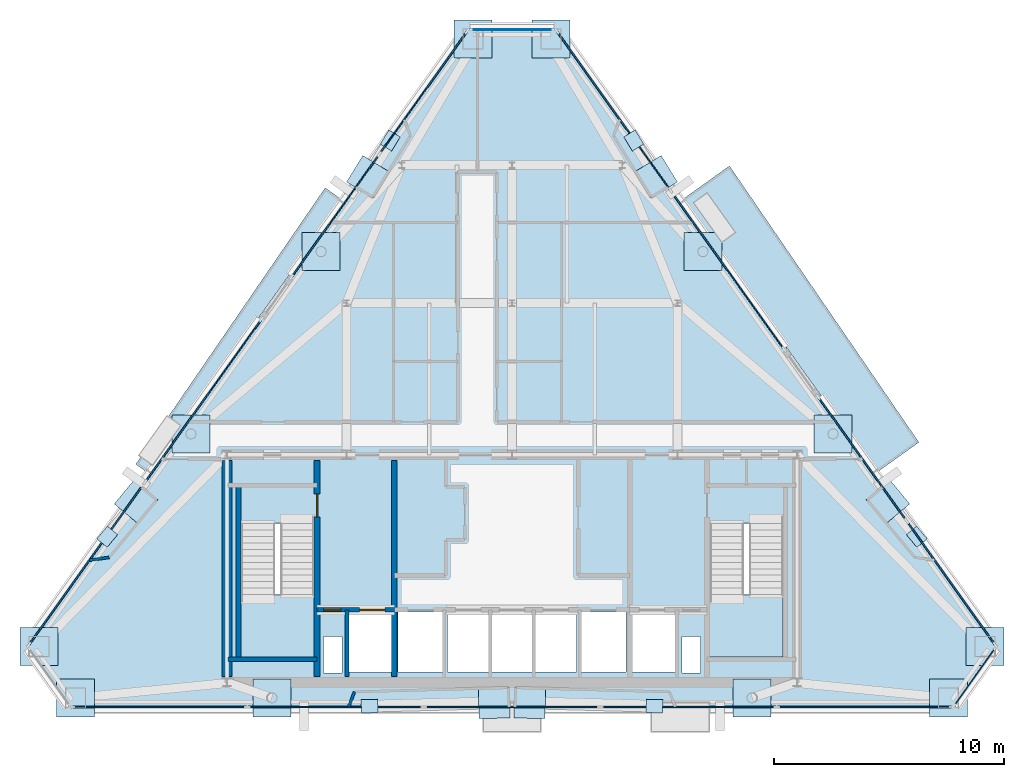
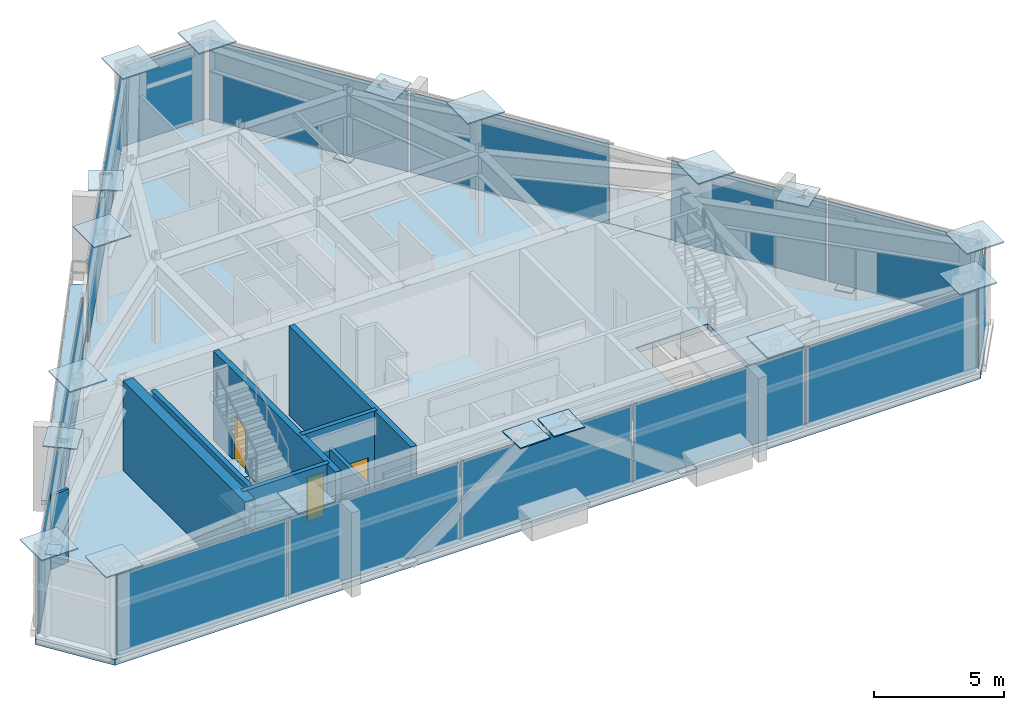
# One storey, part 5 of 10: 39 plates, 9 walls, 5 slabs, 3 doors, 3 openings, 9 elements without a shape of their own.
"""IFC4 building model written with IfcOpenShell, lengths in metres."""

from ifc_helpers import new_model, si_unit, direction, frame, frame_2d, origin, origin_2d, place, context, subcontext, project, spatial, polyline, rectangle, outline, extrude, source, transform, mapped, material, layer, layer_set, type_object, type_shapes, element, fill, aggregate, save


model = new_model("IFC4")

# Units and contexts
model_context = context("Model", 3, precision=1e-05, world=origin(), true_north=direction((0.0, 1.0)))
body_context = subcontext(model_context, "Body", "Model", "MODEL_VIEW")
ifc_project = project(units=[si_unit("LENGTHUNIT", "METRE"), si_unit("AREAUNIT", "SQUARE_METRE"), si_unit("VOLUMEUNIT", "CUBIC_METRE"), si_unit("PLANEANGLEUNIT", "RADIAN"), si_unit("MASSUNIT", "GRAM", prefix="KILO")], contexts=[model_context])

# Site, building, storey
site_placement = place(None, origin())
site = spatial("IfcSite", under=ifc_project, at=site_placement, CompositionType="ELEMENT")
building_placement = place(site_placement, origin())
building = spatial("IfcBuilding", under=site, at=building_placement, Name="Talgorran Terracotta Tower", CompositionType="ELEMENT")
storey_placement = place(building_placement, frame((0.0, 0.0, 289.199951171875)))
storey = spatial("IfcBuildingStorey", under=building, at=storey_placement, Name="L76", CompositionType="ELEMENT", Elevation=289.199951171875)

# Plates
ifc_material_1 = material(Name="Steel Grade 350 (350L0)", Category="steel")
ifc_layer_1 = layer(ifc_material_1, 0.031982421875, Name="PL_CAP_MN07")
ifc_layer_set_1 = layer_set([ifc_layer_1], Name="Steel Grade 350 (350L0)")
plate_type_1 = type_object("IfcPlateType", Name="PL_CAP_MN07", PredefinedType="USERDEFINED", material=ifc_layer_set_1)
for number, where, z_axis, x_axis, name in (
    (1, (-6.1982421875, -15.134521484375, -0.005859375), (0.0, 0.0, 1.0), (0.999643481727, 0.026700364047, 0.0), "L76 Diagonal Frame End Cap SWF Bot"),
    (2, (6.1982421875, -15.134521484375, -0.005859375), (0.0, 0.0, 1.0), (-0.999643481727, 0.026700364047, 0.0), "L76 Diagonal Frame End Cap SEF Bot"),
    (3, (17.6083984375, -7.764892578125, -0.005859375), (0.0, 0.0, 1.0), (-0.637692910769, 0.770290692891, 0.0), "L76 Diagonal Frame End Cap NEL Bot"),
    (4, (5.296142578125, 9.471435546875, -0.005859375), (0.0, 0.0, 1.0), (0.523093692466, -0.852275183789, 0.0), "L76 Diagonal Frame End Cap NEU Bot"),
    (5, (-5.296142578125, 9.471435546875, -0.005859375), (0.0, 0.0, 1.0), (-0.523093692466, -0.852275183789, 0.0), "L76 Diagonal Frame End Cap NWU Bot"),
    (6, (-17.6083984375, -7.764892578125, -0.005859375), (0.0, 0.0, 1.0), (0.637692910769, 0.770290692891, 0.0), "L76 Diagonal Frame End Cap NWL Bot"),
):
    element("IfcPlate", number, at=place(storey_placement, frame(where, z_axis=z_axis, x_axis=x_axis)), inside=storey, type_object=plate_type_1, Name=name, ObjectType="CAP PLATE", PredefinedType="USERDEFINED", context=body_context, shape_type="SweptSolid", body=[
        extrude(rectangle(XDim=0.719970703125, YDim=0.580078125, at=origin_2d()), origin(), (0.0, 0.0, 1.0), 0.031982421875),
    ])
ifc_layer_2 = layer(ifc_material_1, 0.06005859375, Name="PL_NODE_MN01")
ifc_layer_set_2 = layer_set([ifc_layer_2], Name="Steel Grade 350 (350L0)")
plate_type_2 = type_object("IfcPlateType", Name="PL_NODE_MN01", PredefinedType="USERDEFINED", material=ifc_layer_set_2)
for number, where, z_axis, x_axis, name in (
    (7, (-20.578857421875, -12.542724609375, 4.18505859375), (0.0, 0.0, 1.0), (1.0, 0.0, 0.0), "L76 Mega-Column Cap Plate MC1"),
    (8, (-18.984619140625, -14.7744140625, 4.18505859375), (0.0, 0.0, 1.0), (1.0, 0.0, 0.0), "L76 Mega-Column Cap Plate MC2"),
    (9, (18.984619140625, -14.7744140625, 4.18505859375), (0.0, 0.0, 1.0), (1.0, 0.0, 0.0), "L76 Mega-Column Cap Plate MC3"),
    (10, (20.578857421875, -12.542724609375, 4.18505859375), (0.0, 0.0, 1.0), (1.0, 0.0, 0.0), "L76 Mega-Column Cap Plate MC4"),
    (11, (1.697998046875, 13.889404296875, 4.18505859375), (0.0, 0.0, 1.0), (1.0, 0.0, 0.0), "L76 Mega-Column Cap Plate MC5"),
    (12, (-1.697998046875, 13.889404296875, 4.18505859375), (0.0, 0.0, 1.0), (1.0, 0.0, 0.0), "L76 Mega-Column Cap Plate MC6"),
    (13, (-10.441650390625, -14.7744140625, 4.18505859375), (0.0, 0.0, 1.0), (1.0, 0.0, 0.0), "L76 Facet Column Cap Plate FC1"),
    (14, (10.441650390625, -14.7744140625, 4.18505859375), (0.0, 0.0, 1.0), (1.0, 0.0, 0.0), "L76 Facet Column Cap Plate FC2"),
    (15, (13.970458984375, -3.29150390625, 4.18505859375), (0.0, 0.0, 1.0), (1.0, 0.0, 0.0), "L76 Facet Column Cap Plate FC3"),
    (16, (8.30615234375, 4.63818359375, 4.18505859375), (0.0, 0.0, 1.0), (1.0, 0.0, 0.0), "L76 Facet Column Cap Plate FC4"),
    (17, (-8.30615234375, 4.63818359375, 4.18505859375), (0.0, 0.0, 1.0), (1.0, 0.0, 0.0), "L76 Facet Column Cap Plate FC5"),
    (18, (-13.970458984375, -3.29150390625, 4.18505859375), (0.0, 0.0, 1.0), (1.0, 0.0, 0.0), "L76 Facet Column Cap Plate FC6"),
):
    element("IfcPlate", number, at=place(storey_placement, frame(where, z_axis=z_axis, x_axis=x_axis)), inside=storey, type_object=plate_type_2, Name=name, ObjectType="NODE PLATE", PredefinedType="USERDEFINED", context=body_context, shape_type="SweptSolid", body=[
        extrude(rectangle(XDim=1.64990234375, YDim=1.64990234375, at=origin_2d()), origin(), (0.0, 0.0, 1.0), 0.06005859375),
    ])
ifc_layer_3 = layer(ifc_material_1, 0.050048828125, Name="PL_NODE_MN03")
ifc_layer_set_3 = layer_set([ifc_layer_3], Name="Steel Grade 350 (350L0)")
plate_type_3 = type_object("IfcPlateType", Name="PL_NODE_MN03", PredefinedType="USERDEFINED", material=ifc_layer_set_3)
for number, where, z_axis, x_axis, name in (
    (19, (-0.777099609375, -14.989990234375, 3.88525390625), (0.0, 0.0, 1.0), (0.999643481727, 0.026700364047, 0.0), "L76 Diagonal Frame End Cap SWF Top"),
    (20, (0.777099609375, -14.989990234375, 3.88525390625), (0.0, 0.0, 1.0), (-0.999643481727, 0.026700364047, 0.0), "L76 Diagonal Frame End Cap SEF Top"),
    (21, (16.353759765625, -6.249267578125, 3.88525390625), (0.0, 0.0, 1.0), (-0.637692910769, 0.770290692891, 0.0), "L76 Diagonal Frame End Cap NEL Top"),
    (22, (6.267333984375, 7.88916015625, 3.88525390625), (0.0, 0.0, 1.0), (0.523093692466, -0.852275183789, 0.0), "L76 Diagonal Frame End Cap NEU Top"),
    (23, (-6.267333984375, 7.88916015625, 3.88525390625), (0.0, 0.0, 1.0), (-0.523093692466, -0.852275183789, 0.0), "L76 Diagonal Frame End Cap NWU Top"),
    (24, (-16.353759765625, -6.249267578125, 3.88525390625), (0.0, 0.0, 1.0), (0.637692910769, 0.770290692891, 0.0), "L76 Diagonal Frame End Cap NWL Top"),
):
    element("IfcPlate", number, at=place(storey_placement, frame(where, z_axis=z_axis, x_axis=x_axis)), inside=storey, type_object=plate_type_3, Name=name, ObjectType="NODE PLATE", PredefinedType="USERDEFINED", context=body_context, shape_type="SweptSolid", body=[
        extrude(rectangle(XDim=1.35009765625, YDim=1.35009765625, at=origin_2d()), origin(), (0.0, 0.0, 1.0), 0.050048828125),
    ])

# Slabs
ifc_material_2 = material(Name="Concrete C40/50", Category="concrete")
ifc_layer_4 = layer(ifc_material_2, 0.219970703125, Name="SL_BALCONY_220")
ifc_layer_set_4 = layer_set([ifc_layer_4], Name="Concrete C40/50")
slab_type_1 = type_object("IfcSlabType", Name="SL_BALCONY_220", PredefinedType="FLOOR", material=ifc_layer_set_4)
slab_1_placement = place(storey_placement, frame((0.0, 0.0, -0.219970703125)))
element("IfcSlab", 25, at=slab_1_placement, inside=storey, type_object=slab_type_1, Name="L76 Outdoor Wave Balcony BAL-NE", PredefinedType="FLOOR", context=body_context, shape_type="SweptSolid", body=[
    extrude(outline(polyline([(7.368408203125, 6.87158203125), (15.83935546875, -4.9873046875), (17.70068359375, -3.657958984375), (9.459716796875, 8.365478515625), (7.368408203125, 6.87158203125)])), origin(), (0.0, 0.0, 1.0), 0.219970703125),
])
slab_2_placement = place(storey_placement, frame((0.0, 0.0, -0.219970703125)))
element("IfcSlab", 26, at=slab_2_placement, inside=storey, type_object=slab_type_1, Name="L76 Outdoor Wave Balcony BAL-NW", PredefinedType="FLOOR", context=body_context, shape_type="SweptSolid", body=[
    extrude(outline(polyline([(-15.83935546875, -4.9873046875), (-7.368408203125, 6.87158203125), (-8.127197265625, 7.413818359375), (-16.3681640625, -4.609619140625), (-15.83935546875, -4.9873046875)])), origin(), (0.0, 0.0, 1.0), 0.219970703125),
])
ifc_layer_5 = layer(ifc_material_2, 0.280029296875, Name="SL_HALL_280")
ifc_layer_set_5 = layer_set([ifc_layer_5], Name="Concrete C40/50")
slab_type_2 = type_object("IfcSlabType", Name="SL_HALL_280", PredefinedType="FLOOR", material=ifc_layer_set_5)
slab_3_placement = place(storey_placement, frame((0.0, 0.0, -0.280029296875)))
element("IfcSlab", 27, at=slab_3_placement, inside=storey, type_object=slab_type_2, Name="Storey L76 Structural Floor Slab", PredefinedType="FLOOR", context=body_context, shape_type="SweptSolid", body=[
    extrude(outline(polyline([(-21.2177734375, -12.542724609375), (-19.252197265625, -15.29443359375), (19.252197265625, -15.29443359375), (21.2177734375, -12.542724609375), (1.965576171875, 14.409423828125), (-1.965576171875, 14.409423828125), (-21.2177734375, -12.542724609375)]), holes=[polyline([(-11.800048828125, -7.199951171875), (-11.800048828125, -13.0), (-8.60009765625, -13.0), (-8.60009765625, -7.199951171875), (-11.800048828125, -7.199951171875)]), polyline([(8.60009765625, -7.199951171875), (8.60009765625, -13.0), (11.800048828125, -13.0), (11.800048828125, -7.199951171875), (8.60009765625, -7.199951171875)]), polyline([(-7.10009765625, -13.64990234375), (-5.199951171875, -13.64990234375), (-5.199951171875, -11.050048828125), (-7.10009765625, -11.050048828125), (-7.10009765625, -13.64990234375)]), polyline([(5.199951171875, -13.64990234375), (7.10009765625, -13.64990234375), (7.10009765625, -11.050048828125), (5.199951171875, -11.050048828125), (5.199951171875, -13.64990234375)]), polyline([(3.0, -13.64990234375), (4.949951171875, -13.64990234375), (4.949951171875, -11.050048828125), (3.0, -11.050048828125), (3.0, -13.64990234375)]), polyline([(-4.949951171875, -13.64990234375), (-3.0, -13.64990234375), (-3.0, -11.050048828125), (-4.949951171875, -11.050048828125), (-4.949951171875, -13.64990234375)]), polyline([(-2.800048828125, -13.64990234375), (-1.0, -13.64990234375), (-1.0, -11.050048828125), (-2.800048828125, -11.050048828125), (-2.800048828125, -13.64990234375)]), polyline([(-0.89990234375, -13.64990234375), (0.89990234375, -13.64990234375), (0.89990234375, -11.050048828125), (-0.89990234375, -11.050048828125), (-0.89990234375, -13.64990234375)]), polyline([(1.0, -13.64990234375), (2.800048828125, -13.64990234375), (2.800048828125, -11.050048828125), (1.0, -11.050048828125), (1.0, -13.64990234375)]), polyline([(-8.199951171875, -13.699951171875), (-7.39990234375, -13.699951171875), (-7.39990234375, -12.10009765625), (-8.199951171875, -12.10009765625), (-8.199951171875, -13.699951171875)]), polyline([(7.39990234375, -13.699951171875), (8.199951171875, -13.699951171875), (8.199951171875, -12.10009765625), (7.39990234375, -12.10009765625), (7.39990234375, -13.699951171875)])]), origin(), (0.0, 0.0, 1.0), 0.280029296875),
])

# Stair, slab
stair_type = type_object("IfcStairType", Name="ST_FIRE_SCISSOR", PredefinedType="HALF_TURN_STAIR", material=ifc_material_2)
stair_1_placement = place(storey_placement, origin())
stair_1 = element("IfcStair", 28, at=stair_1_placement, inside=storey, type_object=stair_type, Name="L76 West Protected Fire Stair ST-01", PredefinedType="HALF_TURN_STAIR")
ifc_layer_6 = layer(ifc_material_2, 0.199951171875, Name="SL_LANDING_200")
ifc_layer_set_6 = layer_set([ifc_layer_6], Name="Concrete C40/50")
slab_type_3 = type_object("IfcSlabType", Name="SL_LANDING_200", PredefinedType="LANDING", material=ifc_layer_set_6)
slab_4_placement = place(storey_placement, frame((0.0, 0.0, 1.900146484375)))
slab_4 = element("IfcSlab", 29, at=slab_4_placement, type_object=slab_type_3, Name="ST-01 landing 1", PredefinedType="LANDING", context=body_context, shape_type="SweptSolid", body=[
    extrude(outline(polyline([(-11.800048828125, -10.280029296875), (-11.800048828125, -13.0), (-8.60009765625, -13.0), (-8.60009765625, -10.280029296875), (-11.800048828125, -10.280029296875)])), origin(), (0.0, 0.0, 1.0), 0.199951171875),
])
aggregate(stair_1, [slab_4])

stair_2_placement = place(storey_placement, origin())
stair_2 = element("IfcStair", 30, at=stair_2_placement, inside=storey, type_object=stair_type, Name="L76 East Protected Fire Stair ST-02", PredefinedType="HALF_TURN_STAIR")
slab_5_placement = place(storey_placement, frame((0.0, 0.0, 1.900146484375)))
slab_5 = element("IfcSlab", 31, at=slab_5_placement, type_object=slab_type_3, Name="ST-02 landing 1", PredefinedType="LANDING", context=body_context, shape_type="SweptSolid", body=[
    extrude(outline(polyline([(8.60009765625, -10.280029296875), (8.60009765625, -13.0), (11.800048828125, -13.0), (11.800048828125, -10.280029296875), (8.60009765625, -10.280029296875)])), origin(), (0.0, 0.0, 1.0), 0.199951171875),
])
aggregate(stair_2, [slab_5])

# Curtain wall, plate
ifc_material_3 = material(Name="Structural Laminated Low-Iron")
ifc_layer_7 = layer(ifc_material_3, 0.239990234375, Name="CW_SYS5_SKY_OBS")
ifc_layer_set_7 = layer_set([ifc_layer_7], Name="Structural Laminated Low-Iron")
curtain_wall_type = type_object("IfcCurtainWallType", Name="CW_SYS5_SKY_OBS", PredefinedType="NOTDEFINED", material=ifc_layer_set_7)
curtain_wall_1_placement = place(storey_placement, origin())
curtain_wall_1 = element("IfcCurtainWall", 32, at=curtain_wall_1_placement, inside=storey, type_object=curtain_wall_type, Name="CW-L76-F2", PredefinedType="NOTDEFINED")
ifc_material_4 = material(Name="Low-Iron Structural Vision Glass", Category="glass")
ifc_layer_8 = layer(ifc_material_4, 0.035888671875, Name="PLT_LOWIRON_36")
ifc_layer_set_8 = layer_set([ifc_layer_8], Name="Low-Iron Structural Vision Glass")
plate_type_4 = type_object("IfcPlateType", Name="PLT_LOWIRON_36", PredefinedType="CURTAIN_PANEL", material=ifc_layer_set_8)
shared_shape_1 = source(origin(), body_context, "Body", "SweptSolid", [
    extrude(rectangle(XDim=3.053955078125, YDim=0.035888671875, at=origin_2d()), origin(), (0.0, 0.0, 1.0), 3.739990234375),
])
plate_1_placement = place(storey_placement, frame((20.13037109375, -13.858642578125, 0.08984375), z_axis=(0.0, 0.0, 1.0), x_axis=(0.58125574343, 0.813720935413, 0.0)))
plate_1 = element("IfcPlate", 33, at=plate_1_placement, type_object=plate_type_4, Name="CW-L76-2 panel 1.1", PredefinedType="CURTAIN_PANEL", context=body_context, shape_type="MappedRepresentation", body=[
    mapped(shared_shape_1, transform((0.0, 0.0, 0.0), scale=1.0)),
])
aggregate(curtain_wall_1, [plate_1])

# Curtain wall, plates
curtain_wall_2_placement = place(storey_placement, origin())
curtain_wall_2 = element("IfcCurtainWall", 34, at=curtain_wall_2_placement, inside=storey, type_object=curtain_wall_type, Name="CW-L76-F1", PredefinedType="NOTDEFINED")
ifc_material_5 = material(Name="Terracotta Insulated Spandrel", Category="masonry")
ifc_layer_9 = layer(ifc_material_5, 0.06494140625, Name="PLT_SPANDREL_TERRA")
ifc_layer_set_9 = layer_set([ifc_layer_9], Name="Terracotta Insulated Spandrel")
plate_type_5 = type_object("IfcPlateType", Name="PLT_SPANDREL_TERRA", PredefinedType="SHEET", material=ifc_layer_set_9)
shared_shape_2 = source(origin(), body_context, "Body", "SweptSolid", [
    extrude(rectangle(XDim=7.541259765625, YDim=0.06494140625, at=origin_2d()), origin(), (0.0, 0.0, 1.0), 3.739990234375),
])
plate_2_placement = place(storey_placement, frame((-15.329833984375, -15.17431640625, 0.08984375), z_axis=(0.0, 0.0, 1.0), x_axis=(1.0, 0.0, 0.0)))
plate_2 = element("IfcPlate", 35, at=plate_2_placement, type_object=plate_type_5, Name="CW-L76-1 panel 1.1", PredefinedType="CURTAIN_PANEL", context=body_context, shape_type="MappedRepresentation", body=[
    mapped(shared_shape_2, transform((0.0, 0.0, 0.0), scale=1.0)),
])
plate_3_placement = place(storey_placement, frame((15.329833984375, -15.17431640625, 0.08984375), z_axis=(0.0, 0.0, 1.0), x_axis=(1.0, 0.0, 0.0)))
plate_3 = element("IfcPlate", 36, at=plate_3_placement, type_object=plate_type_5, Name="CW-L76-1 panel 5.1", PredefinedType="CURTAIN_PANEL", context=body_context, shape_type="MappedRepresentation", body=[
    mapped(shared_shape_2, transform((0.0, 0.0, 0.0), scale=1.0)),
])
shared_shape_3 = source(origin(), body_context, "Body", "SweptSolid", [
    extrude(rectangle(XDim=7.586181640625, YDim=0.06494140625, at=origin_2d()), origin(), (0.0, 0.0, 1.0), 3.739990234375),
])
plate_4_placement = place(storey_placement, frame((-7.67626953125, -15.17431640625, 0.08984375), z_axis=(0.0, 0.0, 1.0), x_axis=(1.0, 0.0, 0.0)))
plate_4 = element("IfcPlate", 37, at=plate_4_placement, type_object=plate_type_5, Name="CW-L76-1 panel 2.1", PredefinedType="CURTAIN_PANEL", context=body_context, shape_type="MappedRepresentation", body=[
    mapped(shared_shape_3, transform((0.0, 0.0, 0.0), scale=1.0)),
])
plate_5_placement = place(storey_placement, frame((0.0, -15.17431640625, 0.08984375), z_axis=(0.0, 0.0, 1.0), x_axis=(1.0, 0.0, 0.0)))
plate_5 = element("IfcPlate", 38, at=plate_5_placement, type_object=plate_type_5, Name="CW-L76-1 panel 3.1", PredefinedType="CURTAIN_PANEL", context=body_context, shape_type="MappedRepresentation", body=[
    mapped(shared_shape_3, transform((0.0, 0.0, 0.0), scale=1.0)),
])
plate_6_placement = place(storey_placement, frame((7.67626953125, -15.17431640625, 0.08984375), z_axis=(0.0, 0.0, 1.0), x_axis=(1.0, 0.0, 0.0)))
plate_6 = element("IfcPlate", 39, at=plate_6_placement, type_object=plate_type_5, Name="CW-L76-1 panel 4.1", PredefinedType="CURTAIN_PANEL", context=body_context, shape_type="MappedRepresentation", body=[
    mapped(shared_shape_3, transform((0.0, 0.0, 0.0), scale=1.0)),
])
aggregate(curtain_wall_2, [plate_2, plate_4, plate_5, plate_6, plate_3])

curtain_wall_3_placement = place(storey_placement, origin())
curtain_wall_3 = element("IfcCurtainWall", 40, at=curtain_wall_3_placement, inside=storey, type_object=curtain_wall_type, Name="CW-L76-F40", PredefinedType="NOTDEFINED")
shared_shape_4 = source(origin(), body_context, "Body", "SweptSolid", [
    extrude(rectangle(XDim=6.5380859375, YDim=0.06494140625, at=origin_2d()), origin(), (0.0, 0.0, 1.0), 3.739990234375),
])
plate_7_placement = place(storey_placement, frame((19.094482421875, -9.77685546875, 0.08984375), z_axis=(0.0, 0.0, 1.0), x_axis=(-0.581245281369, 0.813728408553, 0.0)))
plate_7 = element("IfcPlate", 41, at=plate_7_placement, type_object=plate_type_5, Name="CW-L76-40 panel 1.1", PredefinedType="CURTAIN_PANEL", context=body_context, shape_type="MappedRepresentation", body=[
    mapped(shared_shape_4, transform((0.0, 0.0, 0.0), scale=1.0)),
])
plate_8_placement = place(storey_placement, frame((15.241943359375, -4.38330078125, 0.08984375), z_axis=(0.0, 0.0, 1.0), x_axis=(-0.581245281369, 0.813728408553, 0.0)))
plate_8 = element("IfcPlate", 42, at=plate_8_placement, type_object=plate_type_5, Name="CW-L76-40 panel 2.1", PredefinedType="CURTAIN_PANEL", context=body_context, shape_type="MappedRepresentation", body=[
    mapped(shared_shape_4, transform((0.0, 0.0, 0.0), scale=1.0)),
])
aggregate(curtain_wall_3, [plate_7, plate_8])

curtain_wall_4_placement = place(storey_placement, origin())
curtain_wall_4 = element("IfcCurtainWall", 43, at=curtain_wall_4_placement, inside=storey, type_object=curtain_wall_type, Name="CW-L76-F41", PredefinedType="NOTDEFINED")
shared_shape_5 = source(origin(), body_context, "Body", "SweptSolid", [
    extrude(rectangle(XDim=8.4091796875, YDim=0.06494140625, at=origin_2d()), origin(), (0.0, 0.0, 1.0), 3.739990234375),
])
plate_9_placement = place(storey_placement, frame((9.36328125, 3.846435546875, 0.08984375), z_axis=(0.0, 0.0, 1.0), x_axis=(-0.5812476042, 0.813726749352, 0.0)))
plate_9 = element("IfcPlate", 44, at=plate_9_placement, type_object=plate_type_5, Name="CW-L76-41 panel 1.1", PredefinedType="CURTAIN_PANEL", context=body_context, shape_type="MappedRepresentation", body=[
    mapped(shared_shape_5, transform((0.0, 0.0, 0.0), scale=1.0)),
])
plate_10_placement = place(storey_placement, frame((4.42333984375, 10.762451171875, 0.08984375), z_axis=(0.0, 0.0, 1.0), x_axis=(-0.5812476042, 0.813726749352, 0.0)))
plate_10 = element("IfcPlate", 45, at=plate_10_placement, type_object=plate_type_5, Name="CW-L76-41 panel 2.1", PredefinedType="CURTAIN_PANEL", context=body_context, shape_type="MappedRepresentation", body=[
    mapped(shared_shape_5, transform((0.0, 0.0, 0.0), scale=1.0)),
])
aggregate(curtain_wall_4, [plate_9, plate_10])

# Curtain wall, plate
curtain_wall_5_placement = place(storey_placement, origin())
curtain_wall_5 = element("IfcCurtainWall", 46, at=curtain_wall_5_placement, inside=storey, type_object=curtain_wall_type, Name="CW-L76-F4", PredefinedType="NOTDEFINED")
shared_shape_6 = source(origin(), body_context, "Body", "SweptSolid", [
    extrude(rectangle(XDim=3.62744140625, YDim=0.035888671875, at=origin_2d()), origin(), (0.0, 0.0, 1.0), 3.739990234375),
])
type_shapes(plate_type_4, [shared_shape_1, shared_shape_6])
plate_11_placement = place(storey_placement, frame((0.0, 14.28955078125, 0.08984375), z_axis=(0.0, 0.0, 1.0), x_axis=(-1.0, 0.0, 0.0)))
plate_11 = element("IfcPlate", 47, at=plate_11_placement, type_object=plate_type_4, Name="CW-L76-4 panel 1.1", PredefinedType="CURTAIN_PANEL", context=body_context, shape_type="MappedRepresentation", body=[
    mapped(shared_shape_6, transform((0.0, 0.0, 0.0), scale=1.0)),
])
aggregate(curtain_wall_5, [plate_11])

# Curtain wall, plates
curtain_wall_6_placement = place(storey_placement, origin())
curtain_wall_6 = element("IfcCurtainWall", 48, at=curtain_wall_6_placement, inside=storey, type_object=curtain_wall_type, Name="CW-L76-F60", PredefinedType="NOTDEFINED")
shared_shape_7 = source(origin(), body_context, "Body", "SweptSolid", [
    extrude(rectangle(XDim=6.48046875, YDim=0.06494140625, at=origin_2d()), origin(), (0.0, 0.0, 1.0), 3.739990234375),
])
plate_12_placement = place(storey_placement, frame((-3.86279296875, 11.547119140625, 0.08984375), z_axis=(0.0, 0.0, 1.0), x_axis=(-0.581245343121, -0.813728364444, 0.0)))
plate_12 = element("IfcPlate", 49, at=plate_12_placement, type_object=plate_type_5, Name="CW-L76-60 panel 1.1", PredefinedType="CURTAIN_PANEL", context=body_context, shape_type="MappedRepresentation", body=[
    mapped(shared_shape_7, transform((0.0, 0.0, 0.0), scale=1.0)),
])
plate_13_placement = place(storey_placement, frame((-7.681884765625, 6.200439453125, 0.08984375), z_axis=(0.0, 0.0, 1.0), x_axis=(-0.581245343121, -0.813728364444, 0.0)))
plate_13 = element("IfcPlate", 50, at=plate_13_placement, type_object=plate_type_5, Name="CW-L76-60 panel 2.1", PredefinedType="CURTAIN_PANEL", context=body_context, shape_type="MappedRepresentation", body=[
    mapped(shared_shape_7, transform((0.0, 0.0, 0.0), scale=1.0)),
])
aggregate(curtain_wall_6, [plate_12, plate_13])

curtain_wall_7_placement = place(storey_placement, origin())
curtain_wall_7 = element("IfcCurtainWall", 51, at=curtain_wall_7_placement, inside=storey, type_object=curtain_wall_type, Name="CW-L76-F61", PredefinedType="NOTDEFINED")
shared_shape_8 = source(origin(), body_context, "Body", "SweptSolid", [
    extrude(rectangle(XDim=8.61669921875, YDim=0.06494140625, at=origin_2d()), origin(), (0.0, 0.0, 1.0), 3.739990234375),
])
type_shapes(plate_type_5, [shared_shape_2, shared_shape_3, shared_shape_4, shared_shape_5, shared_shape_7, shared_shape_8])
plate_14_placement = place(storey_placement, frame((-13.4296875, -1.84619140625, 0.08984375), z_axis=(0.0, 0.0, 1.0), x_axis=(-0.581247921435, -0.813726522751, 0.0)))
plate_14 = element("IfcPlate", 52, at=plate_14_placement, type_object=plate_type_5, Name="CW-L76-61 panel 1.1", PredefinedType="CURTAIN_PANEL", context=body_context, shape_type="MappedRepresentation", body=[
    mapped(shared_shape_8, transform((0.0, 0.0, 0.0), scale=1.0)),
])
plate_15_placement = place(storey_placement, frame((-18.490478515625, -8.93115234375, 0.08984375), z_axis=(0.0, 0.0, 1.0), x_axis=(-0.581247921435, -0.813726522751, 0.0)))
plate_15 = element("IfcPlate", 53, at=plate_15_placement, type_object=plate_type_5, Name="CW-L76-61 panel 2.1", PredefinedType="CURTAIN_PANEL", context=body_context, shape_type="MappedRepresentation", body=[
    mapped(shared_shape_8, transform((0.0, 0.0, 0.0), scale=1.0)),
])
aggregate(curtain_wall_7, [plate_14, plate_15])

# Walls
ifc_material_6 = material(Name="Concrete C50/60", Category="concrete")
ifc_layer_10 = layer(ifc_material_6, 0.199951171875, Name="WT_CORE_200")
ifc_layer_set_10 = layer_set([ifc_layer_10], Name="Concrete C50/60")
wall_type_1 = type_object("IfcWallType", Name="WT_CORE_200", PredefinedType="SOLIDWALL", material=ifc_layer_set_10)
wall_1_placement = place(storey_placement, frame((-12.35009765625, -13.10009765625, 0.0), z_axis=(0.0, 0.0, 1.0), x_axis=(1.0, 0.0, 0.0)))
element("IfcWall", 54, at=wall_1_placement, inside=storey, type_object=wall_type_1, Name="WL-L76-CW-ST1-S", PredefinedType="SOLIDWALL", context=body_context, shape_type="SweptSolid", body=[
    extrude(rectangle(XDim=3.8701171875, YDim=0.199951171875, at=frame_2d((1.93505859375, 0.0))), origin(), (0.0, 0.0, 1.0), 4.199951171875),
])
wall_2_placement = place(storey_placement, frame((-11.89990234375, -13.10009765625, 0.0), z_axis=(0.0, 0.0, 1.0), x_axis=(0.0, 1.0, 0.0)))
element("IfcWall", 55, at=wall_2_placement, inside=storey, type_object=wall_type_1, Name="WL-L76-CW-ST1-W", PredefinedType="SOLIDWALL", context=body_context, shape_type="SweptSolid", body=[
    extrude(rectangle(XDim=7.580078125, YDim=0.199951171875, at=frame_2d((3.7900390625, 0.0))), origin(), (0.0, 0.0, 1.0), 4.199951171875),
])

# Wall, openings, doors
wall_3_placement = place(storey_placement, frame((-8.47998046875, -10.949951171875, 0.0), z_axis=(0.0, 0.0, 1.0), x_axis=(1.0, 0.0, 0.0)))
wall_3 = element("IfcWall", 56, at=wall_3_placement, inside=storey, type_object=wall_type_1, Name="WL-L76-CW-H-SBW", PredefinedType="SOLIDWALL", context=body_context, shape_type="SweptSolid", body=[
    extrude(rectangle(XDim=3.35986328125, YDim=0.199951171875, at=frame_2d((1.679931640625, 0.0))), origin(), (0.0, 0.0, 1.0), 4.199951171875),
])
opening_1_placement = place(wall_3_placement, frame((0.280029296875, 0.0, 0.0)))
opening_1 = element("IfcOpeningElement", 57, at=opening_1_placement, cuts=wall_3, Name="Opening DR-RSW", PredefinedType="OPENING", context=body_context, shape_type="SweptSolid", body=[
    extrude(rectangle(XDim=0.756, YDim=2.054048828125, at=frame_2d((0.375, 1.027099609375))), frame((0.0, 0.10986328125, 0.0), z_axis=(0.0, -1.0, 0.0), x_axis=(1.0, 0.0, 0.0)), (0.0, 0.0, 1.0), 0.219970703125),
])
opening_2_placement = place(wall_3_placement, frame((1.85009765625, 0.0, 0.0)))
opening_2 = element("IfcOpeningElement", 58, at=opening_2_placement, cuts=wall_3, Name="Opening LD-FFL1", PredefinedType="OPENING", context=body_context, shape_type="SweptSolid", body=[
    extrude(rectangle(XDim=1.10609765625, YDim=2.10409765625, at=frame_2d((0.550048828125, 1.052001953125))), frame((0.0, 0.10986328125, 0.0), z_axis=(0.0, -1.0, 0.0), x_axis=(1.0, 0.0, 0.0)), (0.0, 0.0, 1.0), 0.219970703125),
])
ifc_material_7 = material(Name="Brushed Stainless Steel Grade 304", Category="steel")
door_type_1 = type_object("IfcDoorType", Name="DT_LIFT_LD1100", OperationType="DOUBLE_DOOR_SLIDING", PredefinedType="DOOR", material=ifc_material_7)
door_1_placement = place(opening_2_placement, origin())
door_1 = element("IfcDoor", 59, at=door_1_placement, inside=storey, type_object=door_type_1, Name="L76 Lift Landing Door LD-FFL1", OperationType="DOUBLE_DOOR_SLIDING", OverallHeight=2.10009765625, OverallWidth=1.10009765625, PredefinedType="DOOR", context=body_context, shape_type="SweptSolid", body=[
    extrude(rectangle(XDim=1.10009765625, YDim=2.10009765625, at=frame_2d((0.550048828125, 1.050048828125))), frame((0.0, 0.02490234375, 0.0), z_axis=(0.0, -1.0, 0.0), x_axis=(1.0, 0.0, 0.0)), (0.0, 0.0, 1.0), 0.050048828125),
])
fill(opening_2, door_1)
ifc_material_8 = material(Name="Fire-Rated Pressed Steel", Category="steel")
door_type_2 = type_object("IfcDoorType", Name="DT_RISER_750", OperationType="NOTDEFINED", PredefinedType="DOOR", material=ifc_material_8)
door_2_placement = place(opening_1_placement, origin())
door_2 = element("IfcDoor", 60, at=door_2_placement, inside=storey, type_object=door_type_2, Name="DR-RSW", OperationType="SINGLE_SWING_LEFT", OverallHeight=2.050048828125, OverallWidth=0.75, PredefinedType="DOOR", context=body_context, shape_type="SweptSolid", body=[
    extrude(rectangle(XDim=0.75, YDim=2.050048828125, at=frame_2d((0.375, 1.02490234375))), frame((0.0, 0.02490234375, 0.0), z_axis=(0.0, -1.0, 0.0), x_axis=(1.0, 0.0, 0.0)), (0.0, 0.0, 1.0), 0.050048828125),
])
fill(opening_1, door_2)

# Wall, opening, door
ifc_layer_11 = layer(ifc_material_6, 0.25, Name="WT_CORE_250")
ifc_layer_set_11 = layer_set([ifc_layer_11], Name="Concrete C50/60")
wall_type_2 = type_object("IfcWallType", Name="WT_CORE_250", PredefinedType="SHEAR", material=ifc_layer_set_11)
wall_4_placement = place(storey_placement, frame((-8.47998046875, -13.85009765625, 0.0), z_axis=(0.0, 0.0, 1.0), x_axis=(0.0, 1.0, 0.0)))
wall_4 = element("IfcWall", 61, at=wall_4_placement, inside=storey, type_object=wall_type_2, Name="WL-L76-CW-V-W1", PredefinedType="SHEAR", context=body_context, shape_type="SweptSolid", body=[
    extrude(rectangle(XDim=9.400146484375, YDim=0.25, at=frame_2d((4.7001953125, 0.0))), origin(), (0.0, 0.0, 1.0), 4.199951171875),
])
opening_3_placement = place(wall_4_placement, frame((6.949951171875, 0.0, 0.0)))
opening_3 = element("IfcOpeningElement", 62, at=opening_3_placement, cuts=wall_4, Name="Opening DR-ST01", PredefinedType="OPENING", context=body_context, shape_type="SweptSolid", body=[
    extrude(rectangle(XDim=1.006, YDim=2.10409765625, at=frame_2d((0.5, 1.052001953125))), frame((0.0, 0.135009765625, 0.0), z_axis=(0.0, -1.0, 0.0), x_axis=(1.0, 0.0, 0.0)), (0.0, 0.0, 1.0), 0.27001953125),
])
door_type_3 = type_object("IfcDoorType", Name="DT_FIRE_1000", OperationType="NOTDEFINED", PredefinedType="DOOR", material=ifc_material_8)
door_3_placement = place(opening_3_placement, origin())
door_3 = element("IfcDoor", 63, at=door_3_placement, inside=storey, type_object=door_type_3, Name="DR-ST01", OperationType="SINGLE_SWING_LEFT", OverallHeight=2.10009765625, OverallWidth=1.0, PredefinedType="DOOR", context=body_context, shape_type="SweptSolid", body=[
    extrude(rectangle(XDim=1.0, YDim=2.10009765625, at=frame_2d((0.5, 1.050048828125))), frame((0.0, 0.02490234375, 0.0), z_axis=(0.0, -1.0, 0.0), x_axis=(1.0, 0.0, 0.0)), (0.0, 0.0, 1.0), 0.050048828125),
])
fill(opening_3, door_3)

# Walls
wall_5_placement = place(storey_placement, frame((-5.1201171875, -13.85009765625, 0.0), z_axis=(0.0, 0.0, 1.0), x_axis=(0.0, 1.0, 0.0)))
element("IfcWall", 64, at=wall_5_placement, inside=storey, type_object=wall_type_2, Name="WL-L76-CW-V-W2", PredefinedType="SHEAR", context=body_context, shape_type="SweptSolid", body=[
    extrude(rectangle(XDim=9.400146484375, YDim=0.25, at=frame_2d((4.7001953125, 0.0))), origin(), (0.0, 0.0, 1.0), 4.199951171875),
])
ifc_material_9 = material(Name="Concrete C65/80", Category="concrete")
ifc_layer_12 = layer(ifc_material_9, 0.449951171875, Name="WT_CORE_EXT")
ifc_layer_set_12 = layer_set([ifc_layer_12], Name="Concrete C65/80")
wall_type_3 = type_object("IfcWallType", Name="WT_CORE_EXT", PredefinedType="SHEAR", material=ifc_layer_set_12)
wall_6_placement = place(storey_placement, frame((-12.39990234375, -13.85009765625, 0.0), z_axis=(0.0, 0.0, 1.0), x_axis=(0.0, 1.0, 0.0)))
element("IfcWall", 65, at=wall_6_placement, inside=storey, type_object=wall_type_3, Name="WL-L76-CW-OUT-W", PredefinedType="SHEAR", context=body_context, shape_type="SweptSolid", body=[
    extrude(rectangle(XDim=9.400146484375, YDim=0.449951171875, at=frame_2d((4.7001953125, 0.0))), origin(), (0.0, 0.0, 1.0), 4.199951171875),
])
ifc_material_10 = material(Name="Insulated Steel Stud Plasterboard", Category="steel")
ifc_layer_13 = layer(ifc_material_10, 0.1201171875, Name="WT_PART_120")
ifc_layer_set_13 = layer_set([ifc_layer_13], Name="Insulated Steel Stud Plasterboard")
wall_type_4 = type_object("IfcWallType", Name="WT_PART_120", PredefinedType="PARTITIONING", material=ifc_layer_set_13)
wall_7_placement = place(storey_placement, frame((-17.5234375, -8.666015625, 0.0), z_axis=(0.0, 0.0, 1.0), x_axis=(-0.990225952564, -0.139472444839, 0.0)))
element("IfcWall", 66, at=wall_7_placement, inside=storey, type_object=wall_type_4, Name="WL-L76-BW-L76-09", PredefinedType="PARTITIONING", context=body_context, shape_type="SweptSolid", body=[
    extrude(rectangle(XDim=0.859375, YDim=0.1201171875, at=frame_2d((0.4296875, 0.0))), origin(), (0.0, 0.0, 1.0), 3.43798828125),
])
wall_8_placement = place(storey_placement, frame((-7.10400390625, -15.164306640625, 0.0), z_axis=(0.0, 0.0, 1.0), x_axis=(0.356518525532, 0.934288253674, 0.0)))
element("IfcWall", 67, at=wall_8_placement, inside=storey, type_object=wall_type_4, Name="WL-L76-BW-L76-03", PredefinedType="PARTITIONING", context=body_context, shape_type="SweptSolid", body=[
    extrude(rectangle(XDim=0.698486328125, YDim=0.1201171875, at=frame_2d((0.34912109375, 0.0))), origin(), (0.0, 0.0, 1.0), 3.43798828125),
])
ifc_material_11 = material(Name="Fire-Rated Shaftwall")
ifc_layer_14 = layer(ifc_material_11, 0.159912109375, Name="WT_PART_150")
ifc_layer_set_14 = layer_set([ifc_layer_14], Name="Fire-Rated Shaftwall")
wall_type_5 = type_object("IfcWallType", Name="WT_PART_150", PredefinedType="PARTITIONING", material=ifc_layer_set_14)
wall_9_placement = place(storey_placement, frame((-7.179931640625, -13.85009765625, 0.0), z_axis=(0.0, 0.0, 1.0), x_axis=(0.0, 1.0, 0.0)))
element("IfcWall", 68, at=wall_9_placement, inside=storey, type_object=wall_type_5, Name="WL-L76-CW-RSW", PredefinedType="PARTITIONING", context=body_context, shape_type="SweptSolid", body=[
    extrude(rectangle(XDim=2.900146484375, YDim=0.159912109375, at=frame_2d((1.4501953125, 0.0))), origin(), (0.0, 0.0, 1.0), 3.14501953125),
])

save(model, "model.ifc")
